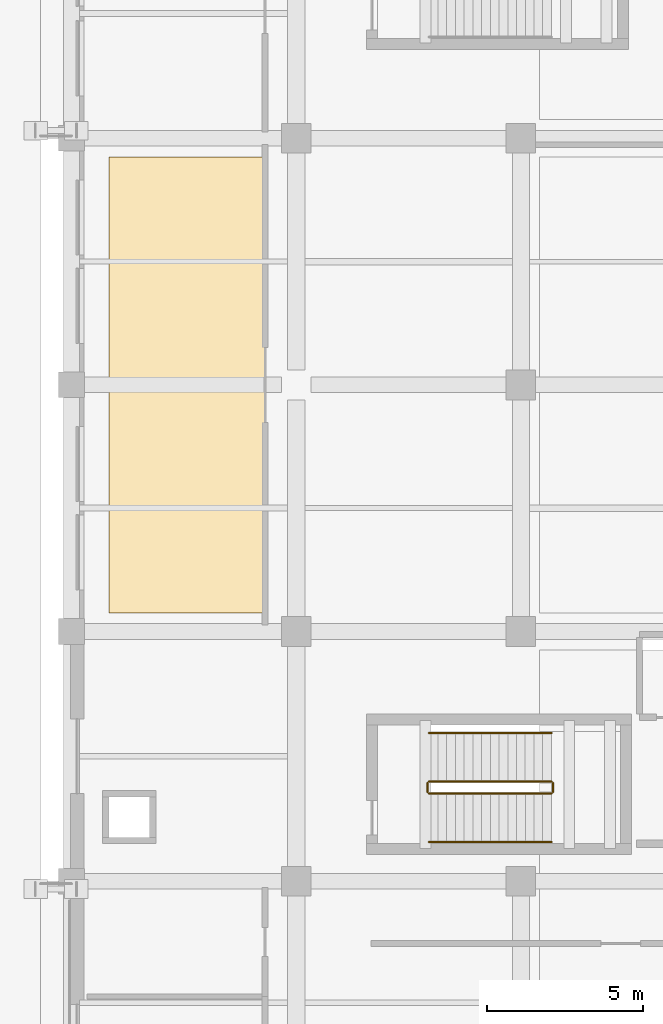
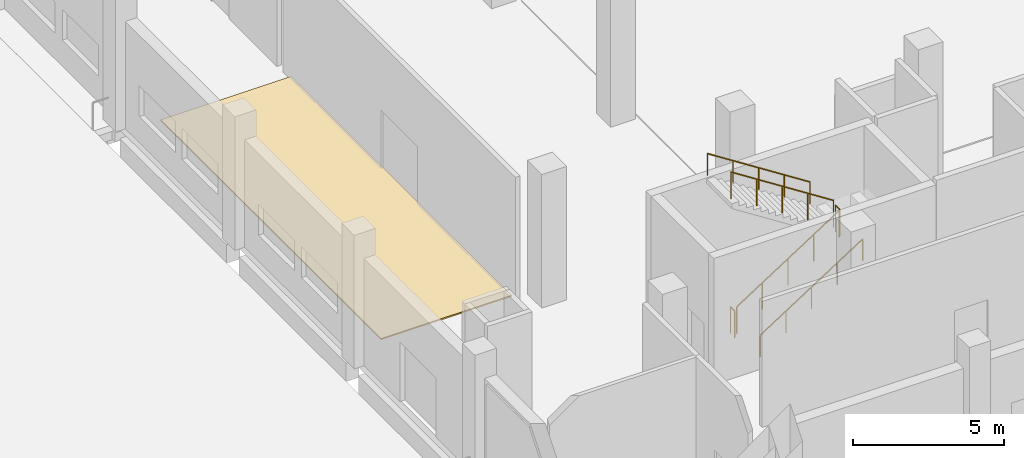
# One storey, part 70 of 79: 6 railings, 1 covering.
"""IFC4 building model written with IfcOpenShell, lengths in metres."""

from ifc_helpers import new_model, si_unit, direction, frame, origin, origin_2d, place, context, subcontext, project, spatial, polyline, circle, outline, extrude, material, layer, layer_set, type_object, element, save


model = new_model("IFC4")

# Units and contexts
model_context = context("Model", 3, precision=1e-05, world=origin(), true_north=direction((0.0, 1.0)))
body_context = subcontext(model_context, "Body", "Model", "MODEL_VIEW")
ifc_project = project(units=[si_unit("LENGTHUNIT", "METRE"), si_unit("AREAUNIT", "SQUARE_METRE"), si_unit("VOLUMEUNIT", "CUBIC_METRE"), si_unit("PLANEANGLEUNIT", "RADIAN"), si_unit("MASSUNIT", "GRAM", prefix="KILO")], contexts=[model_context])

# Site, building, storey
site_placement = place(None, origin())
site = spatial("IfcSite", under=ifc_project, at=site_placement, CompositionType="ELEMENT")
building_placement = place(site_placement, origin())
building = spatial("IfcBuilding", under=site, at=building_placement, Name="Kelarvand Opera House", CompositionType="ELEMENT")
storey_placement = place(building_placement, origin())
storey = spatial("IfcBuildingStorey", under=building, at=storey_placement, Name="L00", CompositionType="ELEMENT", Elevation=0.0)

# Railings
ifc_material_1 = material(Name="Brushed bronze tubular rail")
railing_type_1 = type_object("IfcRailingType", Name="Brushed Bronze Stair Wall Handrail 900", PredefinedType="HANDRAIL", material=ifc_material_1)
railing_1_placement = place(storey_placement, frame((63.4599609375, 47.85009765625, 0.179931640625)))
element("IfcRailing", 1, at=railing_1_placement, inside=storey, type_object=railing_type_1, Name="L00 ST-02 stair handrail 1", PredefinedType="HANDRAIL", context=body_context, shape_type="SweptSolid", body=[
    extrude(circle(Radius=0.02392578125, at=origin_2d()), frame((0.0, 0.0, 0.8759765625), z_axis=(0.841171666519, 0.0, 0.540768182723), x_axis=(0.0, 1.0, 0.0)), (0.0, 0.0, 1.0), 4.66015625),
    extrude(circle(Radius=0.02099609375, at=origin_2d()), origin(), (0.0, 0.0, 1.0), 0.851806640625),
    extrude(circle(Radius=0.02099609375, at=origin_2d()), frame((0.97998046875, 0.0, 0.6298828125)), (0.0, 0.0, 1.0), 0.851806640625),
    extrude(circle(Radius=0.02099609375, at=origin_2d()), frame((1.9599609375, 0.0, 1.260009765625)), (0.0, 0.0, 1.0), 0.851806640625),
    extrude(circle(Radius=0.02099609375, at=origin_2d()), frame((2.93994140625, 0.0, 1.89013671875)), (0.0, 0.0, 1.0), 0.851806640625),
    extrude(circle(Radius=0.02099609375, at=origin_2d()), frame((3.919921875, 0.0, 2.52001953125)), (0.0, 0.0, 1.0), 0.851806640625),
])
railing_2_placement = place(storey_placement, frame((67.3798828125, 51.35009765625, 2.8798828125)))
element("IfcRailing", 2, at=railing_2_placement, inside=storey, type_object=railing_type_1, Name="L00 ST-02 stair handrail 2", PredefinedType="HANDRAIL", context=body_context, shape_type="SweptSolid", body=[
    extrude(circle(Radius=0.02392578125, at=origin_2d()), frame((0.0, 0.0, 0.8759765625), z_axis=(-0.841171666519, 0.0, 0.540768182723), x_axis=(0.0, -1.0, 0.0)), (0.0, 0.0, 1.0), 4.66015625),
    extrude(circle(Radius=0.02099609375, at=origin_2d()), origin(), (0.0, 0.0, 1.0), 0.851806640625),
    extrude(circle(Radius=0.02099609375, at=origin_2d()), frame((-0.97998046875, 0.0, 0.6298828125)), (0.0, 0.0, 1.0), 0.851806640625),
    extrude(circle(Radius=0.02099609375, at=origin_2d()), frame((-1.9599609375, 0.0, 1.260009765625)), (0.0, 0.0, 1.0), 0.851806640625),
    extrude(circle(Radius=0.02099609375, at=origin_2d()), frame((-2.93994140625, 0.0, 1.89013671875)), (0.0, 0.0, 1.0), 0.851806640625),
    extrude(circle(Radius=0.02099609375, at=origin_2d()), frame((-3.919921875, 0.0, 2.52001953125)), (0.0, 0.0, 1.0), 0.851806640625),
])
ifc_material_2 = material(Name="Powder-coated Steel S355", Category="steel")
railing_type_2 = type_object("IfcRailingType", Name="Painted Steel Stair and Void Guardrail 1100", PredefinedType="GUARDRAIL", material=ifc_material_2)
railing_3_placement = place(storey_placement, frame((63.4599609375, 49.409912109375, 0.179931640625)))
element("IfcRailing", 3, at=railing_3_placement, inside=storey, type_object=railing_type_2, Name="L00 ST-02 stair guard 1", PredefinedType="GUARDRAIL", context=body_context, shape_type="SweptSolid", body=[
    extrude(circle(Radius=0.02392578125, at=origin_2d()), frame((0.0, 0.0, 1.076171875), z_axis=(0.841171666519, 0.0, 0.540768182723), x_axis=(0.0, 1.0, 0.0)), (0.0, 0.0, 1.0), 4.66015625),
    extrude(circle(Radius=0.02099609375, at=origin_2d()), origin(), (0.0, 0.0, 1.0), 1.052001953125),
    extrude(circle(Radius=0.02099609375, at=origin_2d()), frame((0.97998046875, 0.0, 0.6298828125)), (0.0, 0.0, 1.0), 1.052001953125),
    extrude(circle(Radius=0.02099609375, at=origin_2d()), frame((1.9599609375, 0.0, 1.260009765625)), (0.0, 0.0, 1.0), 1.052001953125),
    extrude(circle(Radius=0.02099609375, at=origin_2d()), frame((2.93994140625, 0.0, 1.89013671875)), (0.0, 0.0, 1.0), 1.052001953125),
    extrude(circle(Radius=0.02099609375, at=origin_2d()), frame((3.919921875, 0.0, 2.52001953125)), (0.0, 0.0, 1.0), 1.052001953125),
])
railing_4_placement = place(storey_placement, frame((67.429931640625, 49.4599609375, 2.699951171875)))
element("IfcRailing", 4, at=railing_4_placement, inside=storey, type_object=railing_type_2, Name="L00 ST-02 stair guard 2", PredefinedType="GUARDRAIL", context=body_context, shape_type="SweptSolid", body=[
    extrude(circle(Radius=0.02392578125, at=origin_2d()), frame((0.0, 0.0, 1.076171875), z_axis=(0.0, 1.0, 0.0), x_axis=(-1.0, 0.0, 0.0)), (0.0, 0.0, 1.0), 0.280029296875),
    extrude(circle(Radius=0.02099609375, at=origin_2d()), origin(), (0.0, 0.0, 1.0), 1.052001953125),
    extrude(circle(Radius=0.02099609375, at=origin_2d()), frame((0.0, 0.280029296875, 0.0)), (0.0, 0.0, 1.0), 1.052001953125),
])
railing_5_placement = place(storey_placement, frame((67.3798828125, 49.7900390625, 2.8798828125)))
element("IfcRailing", 5, at=railing_5_placement, inside=storey, type_object=railing_type_2, Name="L00 ST-02 stair guard 3", PredefinedType="GUARDRAIL", context=body_context, shape_type="SweptSolid", body=[
    extrude(circle(Radius=0.02392578125, at=origin_2d()), frame((0.0, 0.0, 1.076171875), z_axis=(-0.841171666519, 0.0, 0.540768182723), x_axis=(0.0, -1.0, 0.0)), (0.0, 0.0, 1.0), 4.66015625),
    extrude(circle(Radius=0.02099609375, at=origin_2d()), origin(), (0.0, 0.0, 1.0), 1.052001953125),
    extrude(circle(Radius=0.02099609375, at=origin_2d()), frame((-0.97998046875, 0.0, 0.6298828125)), (0.0, 0.0, 1.0), 1.052001953125),
    extrude(circle(Radius=0.02099609375, at=origin_2d()), frame((-1.9599609375, 0.0, 1.260009765625)), (0.0, 0.0, 1.0), 1.052001953125),
    extrude(circle(Radius=0.02099609375, at=origin_2d()), frame((-2.93994140625, 0.0, 1.89013671875)), (0.0, 0.0, 1.0), 1.052001953125),
    extrude(circle(Radius=0.02099609375, at=origin_2d()), frame((-3.919921875, 0.0, 2.52001953125)), (0.0, 0.0, 1.0), 1.052001953125),
])
railing_6_placement = place(storey_placement, frame((63.409912109375, 49.4599609375, 0.0)))
element("IfcRailing", 6, at=railing_6_placement, inside=storey, type_object=railing_type_2, Name="L00 ST-02 stair guard 4", PredefinedType="GUARDRAIL", context=body_context, shape_type="SweptSolid", body=[
    extrude(circle(Radius=0.02392578125, at=origin_2d()), frame((0.0, 0.0, 1.076171875), z_axis=(0.0, 1.0, 0.0), x_axis=(-1.0, 0.0, 0.0)), (0.0, 0.0, 1.0), 0.280029296875),
    extrude(circle(Radius=0.02099609375, at=origin_2d()), origin(), (0.0, 0.0, 1.0), 1.052001953125),
    extrude(circle(Radius=0.02099609375, at=origin_2d()), frame((0.0, 0.280029296875, 0.0)), (0.0, 0.0, 1.0), 1.052001953125),
])

# Covering
ifc_material_3 = material(Name="Sprung rift-sawn timber stage flooring", Category="wood")
ifc_layer = layer(ifc_material_3, 0.050048828125, Name="Sprung rift-sawn timber stage flooring", Category="wood")
ifc_layer_set = layer_set([ifc_layer], Name="Sprung rift-sawn timber stage flooring")
covering_type = type_object("IfcCoveringType", Name="Sprung Oregon Pine Stage and Rehearsal Flooring 50mm", PredefinedType="FLOORING", material=ifc_layer_set)
covering_placement = place(storey_placement, origin())
element("IfcCovering", 7, at=covering_placement, inside=storey, type_object=covering_type, Name="V2 L00 Architectural Flooring 4", PredefinedType="FLOORING", context=body_context, shape_type="SweptSolid", body=[
    extrude(outline(polyline([(53.199951171875, 55.199951171875), (58.199951171875, 55.199951171875), (58.199951171875, 69.800048828125), (53.199951171875, 69.800048828125), (53.199951171875, 55.199951171875)])), origin(), (0.0, 0.0, 1.0), 0.050048828125),
])

save(model, "model.ifc")
